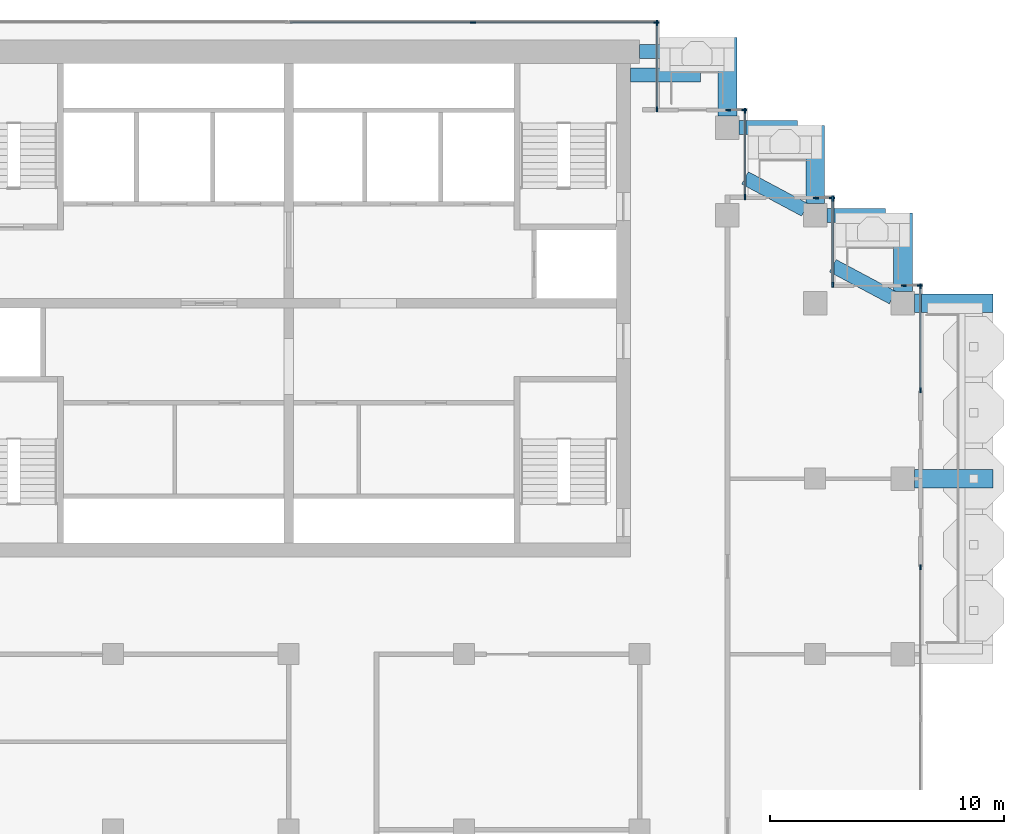
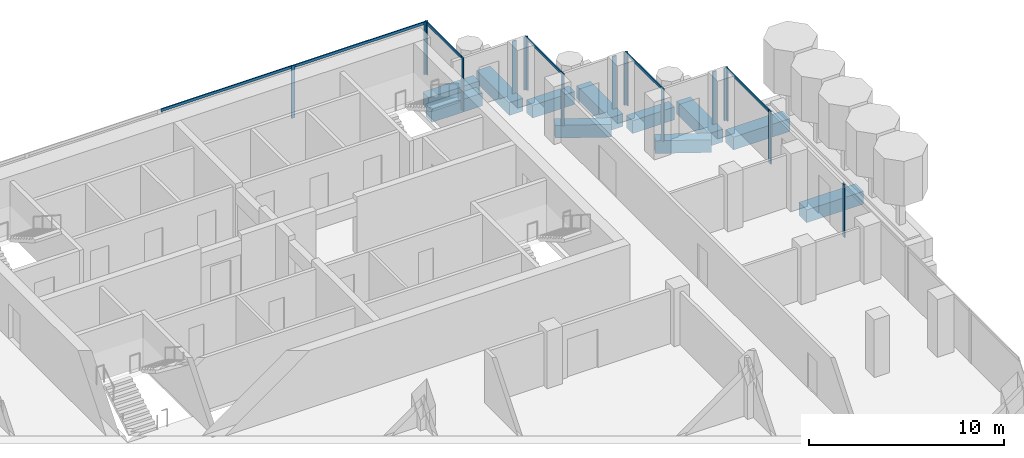
# One storey, part 6 of 18: 23 members, 11 beams, 9 elements without a shape of their own.
"""IFC4 building model written with IfcOpenShell, lengths in metres."""

from ifc_helpers import new_model, si_unit, direction, frame, origin, origin_2d, place, context, subcontext, project, spatial, rectangle, extrude, material, material_profile, profile_set, type_object, element, aggregate, save


model = new_model("IFC4")

# Units and contexts
model_context = context("Model", 3, precision=1e-05, world=origin(), true_north=direction((0.0, 1.0)))
body_context = subcontext(model_context, "Body", "Model", "MODEL_VIEW")
ifc_project = project(units=[si_unit("LENGTHUNIT", "METRE"), si_unit("AREAUNIT", "SQUARE_METRE"), si_unit("VOLUMEUNIT", "CUBIC_METRE"), si_unit("PLANEANGLEUNIT", "RADIAN"), si_unit("MASSUNIT", "GRAM", prefix="KILO")], contexts=[model_context])

# Site, building, storey
site_placement = place(None, origin())
site = spatial("IfcSite", under=ifc_project, at=site_placement, CompositionType="ELEMENT")
building_placement = place(site_placement, origin())
building = spatial("IfcBuilding", under=site, at=building_placement, Name="Pilkhan Gate Tower", CompositionType="ELEMENT")
storey_placement = place(building_placement, frame((0.0, 0.0, 195.89990234375)))
storey = spatial("IfcBuildingStorey", under=building, at=storey_placement, Name="L50", CompositionType="ELEMENT", Elevation=195.89990234375)

# Beams
ifc_material_1 = material(Name="Concrete C50/60", Category="concrete")
ifc_material_profile_1 = material_profile(ifc_material_1, rectangle(XDim=0.60009765625, YDim=0.800048828125, at=origin_2d()), Name="RC 600x800")
ifc_profile_set_1 = profile_set([ifc_material_profile_1], Name="Concrete C50/60")
beam_type_1 = type_object("IfcBeamType", Name="Cantilever beam CB1 RC 600x800 C50/60", PredefinedType="BEAM", material=ifc_profile_set_1)
for number, where, z_axis, x_axis, name in (
    (1, (90.0, 93.25, -0.699951171875), (1.0, 0.0, 0.0), (0.0, 1.0, 0.0), "Balcony beam NE.2 L50"),
    (2, (89.60009765625, 92.25, -0.699951171875), (1.0, 0.0, 0.0), (0.0, 1.0, 0.0), "Balcony beam NE.3 L50"),
):
    element("IfcBeam", number, at=place(storey_placement, frame(where, z_axis=z_axis, x_axis=x_axis)), inside=storey, type_object=beam_type_1, Name=name, PredefinedType="BEAM", context=body_context, shape_type="SweptSolid", body=[
        extrude(rectangle(XDim=0.60009765625, YDim=0.800048828125, at=origin_2d()), origin(), (0.0, 0.0, 1.0), 3.0),
    ])
beam_1_placement = place(storey_placement, frame((94.25, 90.0, -0.699951171875), z_axis=(1.0, 0.0, 0.0), x_axis=(0.0, 1.0, 0.0)))
element("IfcBeam", 3, at=beam_1_placement, inside=storey, type_object=beam_type_1, Name="Balcony beam NE1.2 L50", PredefinedType="BEAM", context=body_context, shape_type="SweptSolid", body=[
    extrude(rectangle(XDim=0.60009765625, YDim=0.800048828125, at=origin_2d()), origin(), (0.0, 0.0, 1.0), 2.5),
])
beam_2_placement = place(storey_placement, frame((97.058837890625, 86.4853515625, -0.699951171875), z_axis=(-0.882348280344, 0.470596974251, 0.0), x_axis=(-0.470596974251, -0.882348280344, 0.0)))
element("IfcBeam", 4, at=beam_2_placement, inside=storey, type_object=beam_type_1, Name="Balcony beam NE1.3 L50", PredefinedType="BEAM", context=body_context, shape_type="SweptSolid", body=[
    extrude(rectangle(XDim=0.60009765625, YDim=0.800048828125, at=origin_2d()), origin(), (0.0, 0.0, 1.0), 2.900146484375),
])
beam_3_placement = place(storey_placement, frame((98.0, 86.25, -0.699951171875), z_axis=(1.0, 0.0, 0.0), x_axis=(0.0, 1.0, 0.0)))
element("IfcBeam", 5, at=beam_3_placement, inside=storey, type_object=beam_type_1, Name="Balcony beam NE2.2 L50", PredefinedType="BEAM", context=body_context, shape_type="SweptSolid", body=[
    extrude(rectangle(XDim=0.60009765625, YDim=0.800048828125, at=origin_2d()), origin(), (0.0, 0.0, 1.0), 2.5),
])
beam_4_placement = place(storey_placement, frame((100.808837890625, 82.7353515625, -0.699951171875), z_axis=(-0.882348280344, 0.470596974251, 0.0), x_axis=(-0.470596974251, -0.882348280344, 0.0)))
element("IfcBeam", 6, at=beam_4_placement, inside=storey, type_object=beam_type_1, Name="Balcony beam NE2.3 L50", PredefinedType="BEAM", context=body_context, shape_type="SweptSolid", body=[
    extrude(rectangle(XDim=0.60009765625, YDim=0.800048828125, at=origin_2d()), origin(), (0.0, 0.0, 1.0), 2.900146484375),
])
ifc_material_profile_2 = material_profile(ifc_material_1, rectangle(XDim=0.800048828125, YDim=0.800048828125, at=origin_2d()), Name="RC 800x800")
ifc_profile_set_2 = profile_set([ifc_material_profile_2], Name="Concrete C50/60")
beam_type_2 = type_object("IfcBeamType", Name="Cantilever beam CB2 RC 800x800 C50/60", PredefinedType="BEAM", material=ifc_profile_set_2)
for number, where, z_axis, x_axis, name in (
    (7, (101.75, 75.0, -0.699951171875), (1.0, 0.0, 0.0), (0.0, 1.0, 0.0), "Balcony beam E.2 L50"),
    (8, (101.75, 82.5, -0.699951171875), (1.0, 0.0, 0.0), (0.0, 1.0, 0.0), "Balcony beam E.3 L50"),
    (9, (93.75, 90.5, -0.699951171875), (0.0, 1.0, 0.0), (-1.0, 0.0, 0.0), "Balcony beam NE.1 L50"),
    (10, (97.5, 86.75, -0.699951171875), (0.0, 1.0, 0.0), (-1.0, 0.0, 0.0), "Balcony beam NE1.1 L50"),
    (11, (101.25, 83.0, -0.699951171875), (0.0, 1.0, 0.0), (-1.0, 0.0, 0.0), "Balcony beam NE2.1 L50"),
):
    element("IfcBeam", number, at=place(storey_placement, frame(where, z_axis=z_axis, x_axis=x_axis)), inside=storey, type_object=beam_type_2, Name=name, PredefinedType="BEAM", context=body_context, shape_type="SweptSolid", body=[
        extrude(rectangle(XDim=0.800048828125, YDim=0.800048828125, at=origin_2d()), origin(), (0.0, 0.0, 1.0), 3.35009765625),
    ])

# Curtain wall, member
ifc_material_2 = material(Name="Pale anodised aluminium, clear low-iron double glazing", Category="aluminium")
curtain_wall_type = type_object("IfcCurtainWallType", Name="Office unitised curtain wall CW-O2", PredefinedType="USERDEFINED", material=ifc_material_2)
curtain_wall_1_placement = place(storey_placement, origin())
curtain_wall_1 = element("IfcCurtainWall", 12, at=curtain_wall_1_placement, inside=storey, type_object=curtain_wall_type, Name="Office unitised curtain wall CW-O2 L50 E", ObjectType="UNITISED CURTAIN WALL", PredefinedType="USERDEFINED")
ifc_material_3 = material(Name="Pale anodised aluminium", Category="aluminium")
ifc_material_profile_3 = material_profile(ifc_material_3, rectangle(XDim=0.06494140625, YDim=0.22509765625, at=origin_2d()), Name="Mullion 225x65")
ifc_profile_set_3 = profile_set([ifc_material_profile_3], Name="Pale anodised aluminium")
member_type_1 = type_object("IfcMemberType", Name="Mullion CW-O2 225x65", PredefinedType="MULLION", material=ifc_profile_set_3)
member_1_placement = place(storey_placement, frame((102.0, 71.217529296875, 0.0), z_axis=(0.0, 0.0, 1.0), x_axis=(-1.0, 0.0, 0.0)))
member_1 = element("IfcMember", 13, at=member_1_placement, type_object=member_type_1, Name="CW-O2 mullion 2", PredefinedType="MULLION", context=body_context, shape_type="SweptSolid", body=[
    extrude(rectangle(XDim=0.06494140625, YDim=0.22509765625, at=origin_2d()), origin(), (0.0, 0.0, 1.0), 3.300048828125),
])
aggregate(curtain_wall_1, [member_1])

# Curtain wall, members
curtain_wall_2_placement = place(storey_placement, origin())
curtain_wall_2 = element("IfcCurtainWall", 14, at=curtain_wall_2_placement, inside=storey, type_object=curtain_wall_type, Name="Office unitised curtain wall CW-O2 L50 E", ObjectType="UNITISED CURTAIN WALL", PredefinedType="USERDEFINED")
member_2_placement = place(storey_placement, frame((102.0, 78.782470703125, 0.0), z_axis=(0.0, 0.0, 1.0), x_axis=(-1.0, 0.0, 0.0)))
member_2 = element("IfcMember", 15, at=member_2_placement, type_object=member_type_1, Name="CW-O2 mullion 1", PredefinedType="MULLION", context=body_context, shape_type="SweptSolid", body=[
    extrude(rectangle(XDim=0.06494140625, YDim=0.22509765625, at=origin_2d()), origin(), (0.0, 0.0, 1.0), 3.300048828125),
])
member_3_placement = place(storey_placement, frame((102.0, 83.217529296875, 0.0), z_axis=(0.0, 0.0, 1.0), x_axis=(-1.0, 0.0, 0.0)))
member_3 = element("IfcMember", 16, at=member_3_placement, type_object=member_type_1, Name="CW-O2 mullion 2", PredefinedType="MULLION", context=body_context, shape_type="SweptSolid", body=[
    extrude(rectangle(XDim=0.06494140625, YDim=0.22509765625, at=origin_2d()), origin(), (0.0, 0.0, 1.0), 3.300048828125),
])

curtain_wall_3_placement = place(storey_placement, origin())
curtain_wall_3 = element("IfcCurtainWall", 17, at=curtain_wall_3_placement, inside=storey, type_object=curtain_wall_type, Name="Office unitised curtain wall CW-O2 L50 N", ObjectType="UNITISED CURTAIN WALL", PredefinedType="USERDEFINED")
member_4_placement = place(storey_placement, frame((101.282470703125, 83.25, 0.0), z_axis=(0.0, 0.0, 1.0), x_axis=(0.0, 1.0, 0.0)))
member_4 = element("IfcMember", 18, at=member_4_placement, type_object=member_type_1, Name="CW-O2 mullion 1", PredefinedType="MULLION", context=body_context, shape_type="SweptSolid", body=[
    extrude(rectangle(XDim=0.06494140625, YDim=0.22509765625, at=origin_2d()), origin(), (0.0, 0.0, 1.0), 3.300048828125),
])
member_5_placement = place(storey_placement, frame((101.967529296875, 83.25, 0.0), z_axis=(0.0, 0.0, 1.0), x_axis=(0.0, 1.0, 0.0)))
member_5 = element("IfcMember", 19, at=member_5_placement, type_object=member_type_1, Name="CW-O2 mullion 2", PredefinedType="MULLION", context=body_context, shape_type="SweptSolid", body=[
    extrude(rectangle(XDim=0.06494140625, YDim=0.22509765625, at=origin_2d()), origin(), (0.0, 0.0, 1.0), 3.300048828125),
])
aggregate(curtain_wall_3, [member_4, member_5])

curtain_wall_4_placement = place(storey_placement, origin())
curtain_wall_4 = element("IfcCurtainWall", 20, at=curtain_wall_4_placement, inside=storey, type_object=curtain_wall_type, Name="Office unitised curtain wall CW-O2 L50 E", ObjectType="UNITISED CURTAIN WALL", PredefinedType="USERDEFINED")
member_6_placement = place(storey_placement, frame((98.25, 83.282470703125, 0.0), z_axis=(0.0, 0.0, 1.0), x_axis=(-1.0, 0.0, 0.0)))
member_6 = element("IfcMember", 21, at=member_6_placement, type_object=member_type_1, Name="CW-O2 mullion 1", PredefinedType="MULLION", context=body_context, shape_type="SweptSolid", body=[
    extrude(rectangle(XDim=0.06494140625, YDim=0.22509765625, at=origin_2d()), origin(), (0.0, 0.0, 1.0), 3.300048828125),
])
member_7_placement = place(storey_placement, frame((98.25, 86.967529296875, 0.0), z_axis=(0.0, 0.0, 1.0), x_axis=(-1.0, 0.0, 0.0)))
member_7 = element("IfcMember", 22, at=member_7_placement, type_object=member_type_1, Name="CW-O2 mullion 2", PredefinedType="MULLION", context=body_context, shape_type="SweptSolid", body=[
    extrude(rectangle(XDim=0.06494140625, YDim=0.22509765625, at=origin_2d()), origin(), (0.0, 0.0, 1.0), 3.300048828125),
])

curtain_wall_5_placement = place(storey_placement, origin())
curtain_wall_5 = element("IfcCurtainWall", 23, at=curtain_wall_5_placement, inside=storey, type_object=curtain_wall_type, Name="Office unitised curtain wall CW-O2 L50 N", ObjectType="UNITISED CURTAIN WALL", PredefinedType="USERDEFINED")
member_8_placement = place(storey_placement, frame((97.532470703125, 87.0, 0.0), z_axis=(0.0, 0.0, 1.0), x_axis=(0.0, 1.0, 0.0)))
member_8 = element("IfcMember", 24, at=member_8_placement, type_object=member_type_1, Name="CW-O2 mullion 1", PredefinedType="MULLION", context=body_context, shape_type="SweptSolid", body=[
    extrude(rectangle(XDim=0.06494140625, YDim=0.22509765625, at=origin_2d()), origin(), (0.0, 0.0, 1.0), 3.300048828125),
])
member_9_placement = place(storey_placement, frame((98.217529296875, 87.0, 0.0), z_axis=(0.0, 0.0, 1.0), x_axis=(0.0, 1.0, 0.0)))
member_9 = element("IfcMember", 25, at=member_9_placement, type_object=member_type_1, Name="CW-O2 mullion 2", PredefinedType="MULLION", context=body_context, shape_type="SweptSolid", body=[
    extrude(rectangle(XDim=0.06494140625, YDim=0.22509765625, at=origin_2d()), origin(), (0.0, 0.0, 1.0), 3.300048828125),
])
aggregate(curtain_wall_5, [member_8, member_9])

curtain_wall_6_placement = place(storey_placement, origin())
curtain_wall_6 = element("IfcCurtainWall", 26, at=curtain_wall_6_placement, inside=storey, type_object=curtain_wall_type, Name="Office unitised curtain wall CW-O2 L50 E", ObjectType="UNITISED CURTAIN WALL", PredefinedType="USERDEFINED")
member_10_placement = place(storey_placement, frame((94.5, 87.032470703125, 0.0), z_axis=(0.0, 0.0, 1.0), x_axis=(-1.0, 0.0, 0.0)))
member_10 = element("IfcMember", 27, at=member_10_placement, type_object=member_type_1, Name="CW-O2 mullion 1", PredefinedType="MULLION", context=body_context, shape_type="SweptSolid", body=[
    extrude(rectangle(XDim=0.06494140625, YDim=0.22509765625, at=origin_2d()), origin(), (0.0, 0.0, 1.0), 3.300048828125),
])
member_11_placement = place(storey_placement, frame((94.5, 90.717529296875, 0.0), z_axis=(0.0, 0.0, 1.0), x_axis=(-1.0, 0.0, 0.0)))
member_11 = element("IfcMember", 28, at=member_11_placement, type_object=member_type_1, Name="CW-O2 mullion 2", PredefinedType="MULLION", context=body_context, shape_type="SweptSolid", body=[
    extrude(rectangle(XDim=0.06494140625, YDim=0.22509765625, at=origin_2d()), origin(), (0.0, 0.0, 1.0), 3.300048828125),
])

curtain_wall_7_placement = place(storey_placement, origin())
curtain_wall_7 = element("IfcCurtainWall", 29, at=curtain_wall_7_placement, inside=storey, type_object=curtain_wall_type, Name="Office unitised curtain wall CW-O2 L50 N", ObjectType="UNITISED CURTAIN WALL", PredefinedType="USERDEFINED")
member_12_placement = place(storey_placement, frame((93.782470703125, 90.75, 0.0), z_axis=(0.0, 0.0, 1.0), x_axis=(0.0, 1.0, 0.0)))
member_12 = element("IfcMember", 30, at=member_12_placement, type_object=member_type_1, Name="CW-O2 mullion 1", PredefinedType="MULLION", context=body_context, shape_type="SweptSolid", body=[
    extrude(rectangle(XDim=0.06494140625, YDim=0.22509765625, at=origin_2d()), origin(), (0.0, 0.0, 1.0), 3.300048828125),
])
member_13_placement = place(storey_placement, frame((94.467529296875, 90.75, 0.0), z_axis=(0.0, 0.0, 1.0), x_axis=(0.0, 1.0, 0.0)))
member_13 = element("IfcMember", 31, at=member_13_placement, type_object=member_type_1, Name="CW-O2 mullion 2", PredefinedType="MULLION", context=body_context, shape_type="SweptSolid", body=[
    extrude(rectangle(XDim=0.06494140625, YDim=0.22509765625, at=origin_2d()), origin(), (0.0, 0.0, 1.0), 3.300048828125),
])
aggregate(curtain_wall_7, [member_12, member_13])

curtain_wall_8_placement = place(storey_placement, origin())
curtain_wall_8 = element("IfcCurtainWall", 32, at=curtain_wall_8_placement, inside=storey, type_object=curtain_wall_type, Name="Office unitised curtain wall CW-O2 L50 E", ObjectType="UNITISED CURTAIN WALL", PredefinedType="USERDEFINED")
member_14_placement = place(storey_placement, frame((90.75, 90.782470703125, 0.0), z_axis=(0.0, 0.0, 1.0), x_axis=(-1.0, 0.0, 0.0)))
member_14 = element("IfcMember", 33, at=member_14_placement, type_object=member_type_1, Name="CW-O2 mullion 1", PredefinedType="MULLION", context=body_context, shape_type="SweptSolid", body=[
    extrude(rectangle(XDim=0.06494140625, YDim=0.22509765625, at=origin_2d()), origin(), (0.0, 0.0, 1.0), 3.300048828125),
])
member_15_placement = place(storey_placement, frame((90.75, 94.467529296875, 0.0), z_axis=(0.0, 0.0, 1.0), x_axis=(-1.0, 0.0, 0.0)))
member_15 = element("IfcMember", 34, at=member_15_placement, type_object=member_type_1, Name="CW-O2 mullion 2", PredefinedType="MULLION", context=body_context, shape_type="SweptSolid", body=[
    extrude(rectangle(XDim=0.06494140625, YDim=0.22509765625, at=origin_2d()), origin(), (0.0, 0.0, 1.0), 3.300048828125),
])

curtain_wall_9_placement = place(storey_placement, origin())
curtain_wall_9 = element("IfcCurtainWall", 35, at=curtain_wall_9_placement, inside=storey, type_object=curtain_wall_type, Name="Office unitised curtain wall CW-O2 L50 N", ObjectType="UNITISED CURTAIN WALL", PredefinedType="USERDEFINED")
member_16_placement = place(storey_placement, frame((82.875, 94.5, 0.0), z_axis=(0.0, 0.0, 1.0), x_axis=(0.0, 1.0, 0.0)))
member_16 = element("IfcMember", 36, at=member_16_placement, type_object=member_type_1, Name="CW-O2 mullion 2", PredefinedType="MULLION", context=body_context, shape_type="SweptSolid", body=[
    extrude(rectangle(XDim=0.06494140625, YDim=0.22509765625, at=origin_2d()), origin(), (0.0, 0.0, 1.0), 3.300048828125),
])
member_17_placement = place(storey_placement, frame((90.717529296875, 94.5, 0.0), z_axis=(0.0, 0.0, 1.0), x_axis=(0.0, 1.0, 0.0)))
member_17 = element("IfcMember", 37, at=member_17_placement, type_object=member_type_1, Name="CW-O2 mullion 3", PredefinedType="MULLION", context=body_context, shape_type="SweptSolid", body=[
    extrude(rectangle(XDim=0.06494140625, YDim=0.22509765625, at=origin_2d()), origin(), (0.0, 0.0, 1.0), 3.300048828125),
])

# Member
ifc_material_profile_4 = material_profile(ifc_material_3, rectangle(XDim=0.06494140625, YDim=0.1650390625, at=origin_2d()), Name="Transom 165x65")
ifc_profile_set_4 = profile_set([ifc_material_profile_4], Name="Pale anodised aluminium")
member_type_2 = type_object("IfcMemberType", Name="Transom CW-O2 165x65", PredefinedType="USERDEFINED", material=ifc_profile_set_4)
member_18_placement = place(storey_placement, frame((102.0, 78.81494140625, 3.217529296875), z_axis=(0.0, 1.0, 0.0), x_axis=(-1.0, 0.0, 0.0)))
member_18 = element("IfcMember", 38, at=member_18_placement, type_object=member_type_2, Name="CW-O2 transom 1", ObjectType="TRANSOM", PredefinedType="USERDEFINED", context=body_context, shape_type="SweptSolid", body=[
    extrude(rectangle(XDim=0.06494140625, YDim=0.1650390625, at=origin_2d()), origin(), (0.0, 0.0, 1.0), 4.3701171875),
])

aggregate(curtain_wall_2, [member_2, member_3, member_18])

member_19_placement = place(storey_placement, frame((98.25, 83.31494140625, 3.217529296875), z_axis=(0.0, 1.0, 0.0), x_axis=(-1.0, 0.0, 0.0)))
member_19 = element("IfcMember", 39, at=member_19_placement, type_object=member_type_2, Name="CW-O2 transom 1", ObjectType="TRANSOM", PredefinedType="USERDEFINED", context=body_context, shape_type="SweptSolid", body=[
    extrude(rectangle(XDim=0.06494140625, YDim=0.1650390625, at=origin_2d()), origin(), (0.0, 0.0, 1.0), 3.6201171875),
])

aggregate(curtain_wall_4, [member_6, member_7, member_19])

member_20_placement = place(storey_placement, frame((94.5, 87.06494140625, 3.217529296875), z_axis=(0.0, 1.0, 0.0), x_axis=(-1.0, 0.0, 0.0)))
member_20 = element("IfcMember", 40, at=member_20_placement, type_object=member_type_2, Name="CW-O2 transom 1", ObjectType="TRANSOM", PredefinedType="USERDEFINED", context=body_context, shape_type="SweptSolid", body=[
    extrude(rectangle(XDim=0.06494140625, YDim=0.1650390625, at=origin_2d()), origin(), (0.0, 0.0, 1.0), 3.6201171875),
])

aggregate(curtain_wall_6, [member_10, member_11, member_20])

member_21_placement = place(storey_placement, frame((90.75, 90.81494140625, 3.217529296875), z_axis=(0.0, 1.0, 0.0), x_axis=(-1.0, 0.0, 0.0)))
member_21 = element("IfcMember", 41, at=member_21_placement, type_object=member_type_2, Name="CW-O2 transom 1", ObjectType="TRANSOM", PredefinedType="USERDEFINED", context=body_context, shape_type="SweptSolid", body=[
    extrude(rectangle(XDim=0.06494140625, YDim=0.1650390625, at=origin_2d()), origin(), (0.0, 0.0, 1.0), 3.6201171875),
])

aggregate(curtain_wall_8, [member_14, member_15, member_21])

member_22_placement = place(storey_placement, frame((75.06494140625, 94.5, 3.217529296875), z_axis=(1.0, 0.0, 0.0), x_axis=(0.0, 1.0, 0.0)))
member_22 = element("IfcMember", 42, at=member_22_placement, type_object=member_type_2, Name="CW-O2 transom 1", ObjectType="TRANSOM", PredefinedType="USERDEFINED", context=body_context, shape_type="SweptSolid", body=[
    extrude(rectangle(XDim=0.06494140625, YDim=0.1650390625, at=origin_2d()), origin(), (0.0, 0.0, 1.0), 7.777587890625),
])

member_23_placement = place(storey_placement, frame((82.907470703125, 94.5, 3.217529296875), z_axis=(1.0, 0.0, 0.0), x_axis=(0.0, 1.0, 0.0)))
member_23 = element("IfcMember", 43, at=member_23_placement, type_object=member_type_2, Name="CW-O2 transom 2", ObjectType="TRANSOM", PredefinedType="USERDEFINED", context=body_context, shape_type="SweptSolid", body=[
    extrude(rectangle(XDim=0.06494140625, YDim=0.1650390625, at=origin_2d()), origin(), (0.0, 0.0, 1.0), 7.777587890625),
])

aggregate(curtain_wall_9, [member_16, member_17, member_22, member_23])

save(model, "model.ifc")
